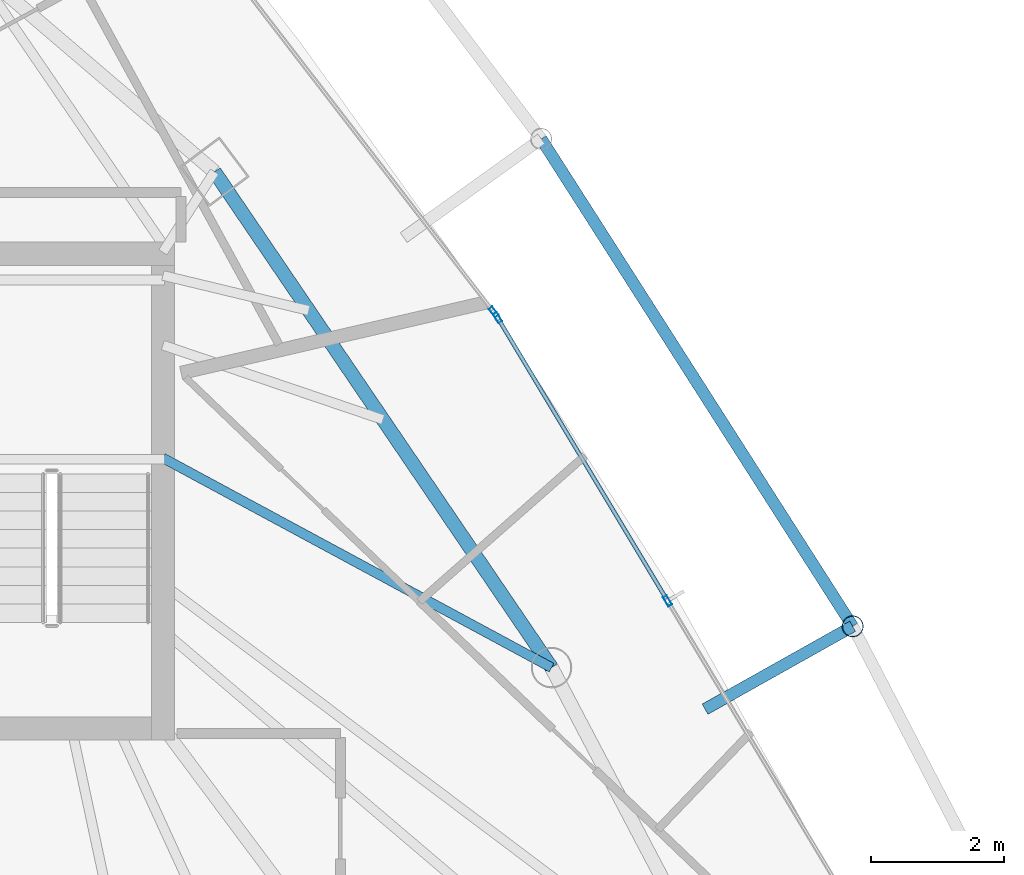
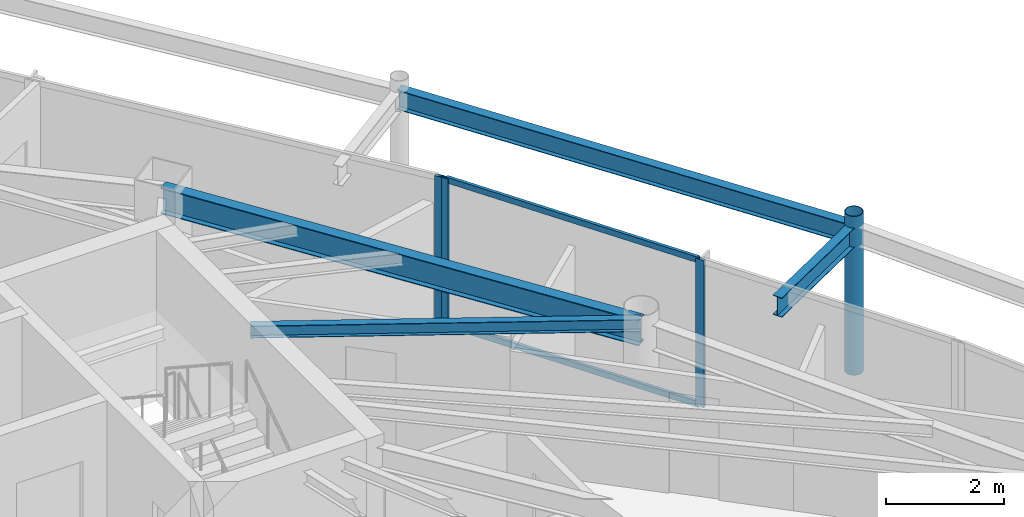
# One storey, part 20 of 32: 6 members, 4 beams, 2 elements without a shape of their own.
"""IFC4 building model written with IfcOpenShell, lengths in metres."""

import ifcopenshell
import ifcopenshell.guid

model = None  # the IFC model being written
_history = None  # IfcOwnerHistory: only IFC2X3 demands one
_inside = {}  # id of a spatial element -> (the spatial element, [elements in it])
_under = {}  # id of a project, library or spatial element -> (it, [spatial elements below it])
_declared = {}  # id of a project -> (the project, [libraries it declares])
_typed = {}  # id of a type object -> (the type object, [elements of that type])
_made_of = {}  # id of a material, layer set ... -> (it, [elements and type objects made of it])


def new_model(schema):
    """Start an empty IFC model of exactly this schema.

    Asked for "IFC4X3", IfcOpenShell would pick the latest addendum, in which some entities
    have other attributes; the version numbers below select the first issue.
    IFC2X3 requires an IfcOwnerHistory on every rooted entity: one is made here for all.
    """
    global model, _history
    if schema == "IFC4X3":
        model = ifcopenshell.file(schema_version=(4, 3, 0, 0))
    else:
        model = ifcopenshell.file(schema=schema)
    _inside.clear()
    _under.clear()
    _declared.clear()
    _typed.clear()
    _made_of.clear()
    _history = None
    if model.schema == "IFC2X3":
        org = make("IfcOrganization", Name="unknown")
        user = make(
            "IfcPersonAndOrganization",
            ThePerson=make("IfcPerson", FamilyName="unknown"),
            TheOrganization=org,
        )
        app = make(
            "IfcApplication",
            ApplicationDeveloper=org,
            Version="unknown",
            ApplicationFullName="unknown",
            ApplicationIdentifier="unknown",
        )
        _history = make(
            "IfcOwnerHistory",
            OwningUser=user,
            OwningApplication=app,
            ChangeAction="ADDED",
            CreationDate=0,
        )
    return model


def make(cls, **values):
    """One entity of the class cls with the attributes given. An attribute that is None is left unset."""
    return model.create_entity(
        cls, **{name: value for name, value in values.items() if value is not None}
    )


def rooted(cls, **values):
    """An entity with a GlobalId (a new one), such as an element, a storey or a relation."""
    return make(cls, GlobalId=ifcopenshell.guid.new(), OwnerHistory=_history, **values)


def si_unit(unit_type, name, prefix=None):
    """IfcSIUnit, for example si_unit("LENGTHUNIT", "METRE", prefix="MILLI")."""
    return make("IfcSIUnit", UnitType=unit_type, Prefix=prefix, Name=name)


def assignment(units):
    """IfcUnitAssignment: the units of a project."""
    return None if units is None else make("IfcUnitAssignment", Units=units)


def point(xyz):
    """IfcCartesianPoint."""
    return None if xyz is None else make("IfcCartesianPoint", Coordinates=xyz)


def direction(xyz):
    """IfcDirection."""
    return None if xyz is None else make("IfcDirection", DirectionRatios=xyz)


def frame(location, z_axis=None, x_axis=None):
    """IfcAxis2Placement3D, a coordinate frame: its origin and axes. An axis left out is left unset."""
    return make(
        "IfcAxis2Placement3D",
        Location=point(location),
        Axis=direction(z_axis),
        RefDirection=direction(x_axis),
    )


def frame_2d(location, x_axis=None):
    """IfcAxis2Placement2D, a coordinate frame in the plane: its origin and x axis."""
    return make(
        "IfcAxis2Placement2D", Location=point(location), RefDirection=direction(x_axis)
    )


def origin():
    """The frame at (0, 0, 0) with its axes left unset."""
    return frame((0.0, 0.0, 0.0))


def origin_2d():
    """The frame at (0, 0) in the plane with its x axis left unset."""
    return frame_2d((0.0, 0.0))


def place(relative_to, where):
    """IfcLocalPlacement: puts the frame where relative to a parent placement (None: the world)."""
    return make(
        "IfcLocalPlacement", PlacementRelTo=relative_to, RelativePlacement=where
    )


def context(
    kind, dimensions, precision=None, world=None, true_north=None, identifier=None
):
    """IfcGeometricRepresentationContext, for example the 3D "Model" context."""
    return make(
        "IfcGeometricRepresentationContext",
        ContextIdentifier=identifier,
        ContextType=kind,
        CoordinateSpaceDimension=dimensions,
        Precision=precision,
        WorldCoordinateSystem=world,
        TrueNorth=true_north,
    )


def subcontext(parent, identifier, kind, view, scale=None):
    """IfcGeometricRepresentationSubContext, for example "Body" below "Model"."""
    return make(
        "IfcGeometricRepresentationSubContext",
        ContextIdentifier=identifier,
        ContextType=kind,
        ParentContext=parent,
        TargetScale=scale,
        TargetView=view,
    )


def project(units=None, contexts=None):
    """IfcProject with its units and contexts."""
    return rooted(
        "IfcProject",
        Name="project",
        RepresentationContexts=contexts,
        UnitsInContext=assignment(units),
    )


def spatial(cls, under=None, at=None, **own):
    """A site, building, storey or space (cls), placed at a placement, below another one or the project."""
    s = rooted(cls, ObjectPlacement=at, **own)
    if under is not None:
        _under.setdefault(under.id(), (under, []))[1].append(s)
    return s


def profile(cls, at=None, kind="AREA", **sizes):
    """A parametric profile (cls). Its sizes go by their IFC names, for example OverallWidth=200.0."""
    return make(cls, ProfileType=kind, Position=at, **sizes)


def hollow_rectangle(**sizes):
    """IfcRectangleHollowProfileDef."""
    return profile("IfcRectangleHollowProfileDef", **sizes)


def hollow_circle(**sizes):
    """IfcCircleHollowProfileDef."""
    return profile("IfcCircleHollowProfileDef", **sizes)


def i_section(**sizes):
    """IfcIShapeProfileDef."""
    return profile("IfcIShapeProfileDef", **sizes)


def extrude(swept, where, along, depth):
    """IfcExtrudedAreaSolid: the profile swept, set in the frame where, extruded along a direction by depth."""
    return make(
        "IfcExtrudedAreaSolid",
        SweptArea=swept,
        Position=where,
        ExtrudedDirection=direction(along),
        Depth=depth,
    )


def shape(context_of_items, identifier, shape_type, items):
    """IfcShapeRepresentation: the items that make up one representation, for example the "Body"."""
    return make(
        "IfcShapeRepresentation",
        ContextOfItems=context_of_items,
        RepresentationIdentifier=identifier,
        RepresentationType=shape_type,
        Items=items,
    )


def material(Name=None, Category=None):
    """IfcMaterial."""
    return make("IfcMaterial", Name=Name, Category=Category)


def layer(
    of_material, thickness, ventilated=None, Name=None, Category=None, Priority=None
):
    """IfcMaterialLayer: one layer of a wall or slab, of a material (None: an air gap)."""
    return make(
        "IfcMaterialLayer",
        Material=of_material,
        LayerThickness=thickness,
        IsVentilated=ventilated,
        Name=Name,
        Category=Category,
        Priority=Priority,
    )


def layer_set(layers, Name=None):
    """IfcMaterialLayerSet."""
    return make("IfcMaterialLayerSet", MaterialLayers=layers, LayerSetName=Name)


def material_profile(
    of_material, cross_section, Name=None, Category=None, Priority=None
):
    """IfcMaterialProfile: a cross section and its material."""
    return make(
        "IfcMaterialProfile",
        Name=Name,
        Material=of_material,
        Profile=cross_section,
        Priority=Priority,
        Category=Category,
    )


def profile_set(profiles, Name=None, composite=None):
    """IfcMaterialProfileSet."""
    return make(
        "IfcMaterialProfileSet",
        Name=Name,
        MaterialProfiles=profiles,
        CompositeProfile=composite,
    )


def made_of(thing, what):
    """Note that an element or type object is made of a material, layer set ...; save() writes the relation."""
    if what is not None:
        _made_of.setdefault(what.id(), (what, []))[1].append(thing)
    return thing


def type_object(cls, material=None, **own):
    """A type object (cls), such as IfcWallType, which elements share."""
    return made_of(rooted(cls, **own), material)


def element(
    cls,
    number,
    at=None,
    inside=None,
    cuts=None,
    type_object=None,
    material=None,
    context=None,
    identifier="Body",
    shape_type=None,
    held_by="IfcProductDefinitionShape",
    body=None,
    shapes=None,
    **own,
):
    """One element of the class cls, such as IfcWall. Its Tag is "e" and its number.

    at: its placement. inside: the storey or other place that contains it. cuts: it is an
    opening in that element (IfcRelVoidsElement). A single representation is given by context,
    identifier, shape_type and body (its items); several are given by shapes. held_by: the class
    of the entity that holds the representations. save() writes the other relations.
    """
    e = rooted(cls, Tag="e%d" % number, ObjectPlacement=at, **own)
    if body is not None:
        shapes = [shape(context, identifier, shape_type, body)]
    if shapes is not None:
        e.Representation = make(held_by, Representations=shapes)
    if inside is not None:
        _inside.setdefault(inside.id(), (inside, []))[1].append(e)
    if cuts is not None:
        rooted(
            "IfcRelVoidsElement", RelatingBuildingElement=cuts, RelatedOpeningElement=e
        )
    if type_object is not None:
        _typed.setdefault(type_object.id(), (type_object, []))[1].append(e)
    return made_of(e, material)


def aggregate(whole, parts):
    """IfcRelAggregates: a whole, such as a stair, and the parts it consists of."""
    return rooted("IfcRelAggregates", RelatingObject=whole, RelatedObjects=parts)


def save(model, path):
    """Write the relations noted so far, then the file.

    IfcRelAggregates (storeys below a building ...), IfcRelContainedInSpatialStructure (elements
    in a storey), IfcRelDefinesByType, IfcRelAssociatesMaterial and IfcRelDeclares: one each for
    every whole, place, type object, material and project.
    """
    for whole, parts in _under.values():
        aggregate(whole, parts)
    for where, things in _inside.values():
        rooted(
            "IfcRelContainedInSpatialStructure",
            RelatedElements=things,
            RelatingStructure=where,
        )
    for kind, things in _typed.values():
        rooted("IfcRelDefinesByType", RelatedObjects=things, RelatingType=kind)
    for what, things in _made_of.values():
        rooted("IfcRelAssociatesMaterial", RelatedObjects=things, RelatingMaterial=what)
    for by, libraries in _declared.values():
        rooted("IfcRelDeclares", RelatingContext=by, RelatedDefinitions=libraries)
    model.write(path)


model = new_model("IFC4")

# Units and contexts
model_context = context("Model", 3, precision=1e-05, world=origin(), true_north=direction((0.0, 1.0)))
body_context = subcontext(model_context, "Body", "Model", "MODEL_VIEW")
ifc_project = project(units=[si_unit("LENGTHUNIT", "METRE"), si_unit("AREAUNIT", "SQUARE_METRE"), si_unit("VOLUMEUNIT", "CUBIC_METRE"), si_unit("PLANEANGLEUNIT", "RADIAN"), si_unit("MASSUNIT", "GRAM", prefix="KILO")], contexts=[model_context])

# Site, building, storey
site_placement = place(None, origin())
site = spatial("IfcSite", under=ifc_project, at=site_placement, CompositionType="ELEMENT")
building_placement = place(site_placement, origin())
building = spatial("IfcBuilding", under=site, at=building_placement, Name="Orvanel Arch Residences", CompositionType="ELEMENT")
storey_placement = place(building_placement, frame((0.0, 0.0, 219.5)))
storey = spatial("IfcBuildingStorey", under=building, at=storey_placement, Name="L62", CompositionType="ELEMENT", Elevation=219.5)

# Beam
ifc_material_1 = material(Name="Structural steel AS/NZS 3679.1 Grade 300 (300 MPa)", Category="steel")
ifc_material_profile_1 = material_profile(ifc_material_1, i_section(OverallWidth=0.14599609375, OverallDepth=0.251953125, WebThickness=0.006103515625, FlangeThickness=0.008544921875, at=origin_2d()), Name="250UB31.4")
ifc_profile_set_1 = profile_set([ifc_material_profile_1], Name="Structural steel AS/NZS 3679.1 Grade 300 (300 MPa)")
beam_type_1 = type_object("IfcBeamType", Name="BJ-250UB", PredefinedType="JOIST", material=ifc_profile_set_1)
beam_1_placement = place(storey_placement, frame((39.574951171875, 30.800048828125, 2.93408203125), z_axis=(0.880111494021, -0.474767056664, 0.0), x_axis=(0.474767056664, 0.880111494021, 0.0)))
element("IfcBeam", 1, at=beam_1_placement, inside=storey, type_object=beam_type_1, Name="L62 NE Wing Floor Joist", PredefinedType="JOIST", context=body_context, shape_type="SweptSolid", body=[
    extrude(i_section(OverallWidth=0.14599609375, OverallDepth=0.251953125, WebThickness=0.006103515625, FlangeThickness=0.008544921875, at=origin_2d()), origin(), (0.0, 0.0, 1.0), 6.653564453125),
])

# Curtain wall, members
ifc_material_2 = material(Name="Bronze-anodised aluminium AA6063-T6", Category="aluminium")
ifc_layer = layer(ifc_material_2, 0.175048828125)
ifc_layer_set = layer_set([ifc_layer], Name="Bronze-anodised aluminium AA6063-T6")
curtain_wall_type = type_object("IfcCurtainWallType", Name="CW4-HI-SYS", PredefinedType="NOTDEFINED", material=ifc_layer_set)
curtain_wall_1_placement = place(storey_placement, origin())
curtain_wall_1 = element("IfcCurtainWall", 2, at=curtain_wall_1_placement, inside=storey, type_object=curtain_wall_type, Name="L62 CW4-HI-SYS Unitised Curtain Wall", PredefinedType="NOTDEFINED")
ifc_material_profile_2 = material_profile(ifc_material_2, hollow_rectangle(XDim=0.06494140625, YDim=0.159912109375, WallThickness=0.00390625, at=origin_2d()), Name="ALU160x65x4")
ifc_profile_set_2 = profile_set([ifc_material_profile_2], Name="Bronze-anodised aluminium AA6063-T6")
member_type_1 = type_object("IfcMemberType", Name="MUL-160x65", PredefinedType="MULLION", material=ifc_profile_set_2)
member_1_placement = place(storey_placement, frame((47.178466796875, 28.64599609375, 0.0), z_axis=(0.0, 0.0, 1.0), x_axis=(-0.857536965081, -0.514422349359, 0.0)))
member_1 = element("IfcMember", 3, at=member_1_placement, type_object=member_type_1, Name="CW-S4 mullion 2", PredefinedType="MULLION", context=body_context, shape_type="SweptSolid", body=[
    extrude(hollow_rectangle(XDim=0.06494140625, YDim=0.159912109375, WallThickness=0.00390625, at=origin_2d()), origin(), (0.0, 0.0, 1.0), 3.06005859375),
])
member_2_placement = place(storey_placement, frame((44.61865234375, 32.9130859375, 0.0), z_axis=(0.0, 0.0, 1.0), x_axis=(-0.857536965081, -0.514422349359, 0.0)))
member_2 = element("IfcMember", 4, at=member_2_placement, type_object=member_type_1, Name="CW-S4 mullion 3", PredefinedType="MULLION", context=body_context, shape_type="SweptSolid", body=[
    extrude(hollow_rectangle(XDim=0.06494140625, YDim=0.159912109375, WallThickness=0.00390625, at=origin_2d()), origin(), (0.0, 0.0, 1.0), 3.06005859375),
])

# Curtain wall, member
curtain_wall_2_placement = place(storey_placement, origin())
curtain_wall_2 = element("IfcCurtainWall", 5, at=curtain_wall_2_placement, inside=storey, type_object=curtain_wall_type, Name="L62 CW4-HI-SYS Unitised Curtain Wall", PredefinedType="NOTDEFINED")
member_3_placement = place(storey_placement, frame((44.56005859375, 32.999755859375, 0.0), z_axis=(0.0, 0.0, 1.0), x_axis=(-0.791975613177, -0.610552723467, 0.0)))
member_3 = element("IfcMember", 6, at=member_3_placement, type_object=member_type_1, Name="CW-S4 mullion 1", PredefinedType="MULLION", context=body_context, shape_type="SweptSolid", body=[
    extrude(hollow_rectangle(XDim=0.06494140625, YDim=0.159912109375, WallThickness=0.00390625, at=origin_2d()), origin(), (0.0, 0.0, 1.0), 3.06005859375),
])
aggregate(curtain_wall_2, [member_3])

# Beams
ifc_material_profile_3 = material_profile(ifc_material_1, i_section(OverallWidth=0.177978515625, OverallDepth=0.406005859375, WebThickness=0.0078125, FlangeThickness=0.0126953125, at=origin_2d()), Name="410UB59.7")
ifc_profile_set_3 = profile_set([ifc_material_profile_3], Name="Structural steel AS/NZS 3679.1 Grade 300 (300 MPa)")
beam_type_2 = type_object("IfcBeamType", Name="OB-410UB-EXT", PredefinedType="SPANDREL", material=ifc_profile_set_3)
beam_2_placement = place(storey_placement, frame((47.743896484375, 27.014892578125, 2.85693359375), z_axis=(0.872081265837, 0.489361079139, 0.0), x_axis=(-0.489361079139, 0.872081265837, 0.0)))
element("IfcBeam", 7, at=beam_2_placement, inside=storey, type_object=beam_type_2, Name="L62 Outer Frame Radial Tie Beam 10", PredefinedType="SPANDREL", context=body_context, shape_type="SweptSolid", body=[
    extrude(i_section(OverallWidth=0.177978515625, OverallDepth=0.406005859375, WebThickness=0.0078125, FlangeThickness=0.0126953125, at=origin_2d()), origin(), (0.0, 0.0, 1.0), 2.55029296875),
])
beam_3_placement = place(storey_placement, frame((49.968017578125, 28.262939453125, 2.85693359375), z_axis=(-0.538480448233, 0.842638004645, 0.0), x_axis=(-0.842638004645, -0.538480448233, 0.0)))
element("IfcBeam", 8, at=beam_3_placement, inside=storey, type_object=beam_type_2, Name="L62 Outer Perimeter Floor Ring Beam 10", PredefinedType="SPANDREL", context=body_context, shape_type="SweptSolid", body=[
    extrude(i_section(OverallWidth=0.177978515625, OverallDepth=0.406005859375, WebThickness=0.0078125, FlangeThickness=0.0126953125, at=origin_2d()), origin(), (0.0, 0.0, 1.0), 8.715576171875),
])
ifc_material_profile_4 = material_profile(ifc_material_1, i_section(OverallWidth=0.208984375, OverallDepth=0.532958984375, WebThickness=0.01025390625, FlangeThickness=0.015625, at=origin_2d()), Name="530UB92.4")
ifc_profile_set_4 = profile_set([ifc_material_profile_4], Name="Structural steel AS/NZS 3679.1 Grade 300 (300 MPa)")
beam_type_3 = type_object("IfcBeamType", Name="SP-530UB", PredefinedType="SPANDREL", material=ifc_profile_set_4)
beam_4_placement = place(storey_placement, frame((45.430908203125, 27.64111328125, 2.79296875), z_axis=(-0.562154793153, 0.827032035978, 0.0), x_axis=(-0.827032035978, -0.562154793153, 0.0)))
element("IfcBeam", 9, at=beam_4_placement, inside=storey, type_object=beam_type_3, Name="L62 Perimeter Spandrel Beam 08", PredefinedType="SPANDREL", context=body_context, shape_type="SweptSolid", body=[
    extrude(i_section(OverallWidth=0.208984375, OverallDepth=0.532958984375, WebThickness=0.01025390625, FlangeThickness=0.015625, at=origin_2d()), origin(), (0.0, 0.0, 1.0), 9.03466796875),
])

# Member
ifc_material_3 = material(Name="Structural steel AS/NZS 1163 C350L0 (Grade 350)", Category="steel")
ifc_material_profile_5 = material_profile(ifc_material_3, hollow_circle(Radius=0.162109375, WallThickness=0.0126953125, at=origin_2d()), Name="CHS324x12.7")
ifc_profile_set_5 = profile_set([ifc_material_profile_5], Name="Structural steel AS/NZS 1163 C350L0 (Grade 350)")
member_type_2 = type_object("IfcMemberType", Name="ST-324CHS-EXT", PredefinedType="STRUT", material=ifc_profile_set_5)
member_4_placement = place(storey_placement, frame((49.968017578125, 28.262939453125, 0.0), z_axis=(0.0, 0.0, 1.0), x_axis=(1.0, 0.0, 0.0)))
element("IfcMember", 10, at=member_4_placement, inside=storey, type_object=member_type_2, Name="L62 Outer Perimeter Frame Post 10", PredefinedType="STRUT", context=body_context, shape_type="SweptSolid", body=[
    extrude(hollow_circle(Radius=0.162109375, WallThickness=0.0126953125, at=origin_2d()), origin(), (0.0, 0.0, 1.0), 3.300048828125),
])

ifc_material_profile_6 = material_profile(ifc_material_2, hollow_rectangle(XDim=0.06005859375, YDim=0.1201171875, WallThickness=0.00341796875, at=origin_2d()), Name="ALU120x60x3.5")
ifc_profile_set_6 = profile_set([ifc_material_profile_6], Name="Bronze-anodised aluminium AA6063-T6")
member_type_3 = type_object("IfcMemberType", Name="TRN-120x60", PredefinedType="USERDEFINED", material=ifc_profile_set_6)
member_5_placement = place(storey_placement, frame((47.161865234375, 28.673828125, 0.030029296875), z_axis=(-0.514422647267, 0.85753678637, 0.0), x_axis=(-0.85753678637, -0.514422647267, 0.0)))
member_5 = element("IfcMember", 11, at=member_5_placement, type_object=member_type_3, Name="CW-S4 transom 2.1", ObjectType="TRANSOM", PredefinedType="USERDEFINED", context=body_context, shape_type="SweptSolid", body=[
    extrude(hollow_rectangle(XDim=0.06005859375, YDim=0.1201171875, WallThickness=0.00341796875, at=origin_2d()), origin(), (0.0, 0.0, 1.0), 4.9111328125),
])

member_6_placement = place(storey_placement, frame((47.161865234375, 28.673828125, 3.030029296875), z_axis=(-0.514422647267, 0.85753678637, 0.0), x_axis=(-0.85753678637, -0.514422647267, 0.0)))
member_6 = element("IfcMember", 12, at=member_6_placement, type_object=member_type_3, Name="CW-S4 transom 2.2", ObjectType="TRANSOM", PredefinedType="USERDEFINED", context=body_context, shape_type="SweptSolid", body=[
    extrude(hollow_rectangle(XDim=0.06005859375, YDim=0.1201171875, WallThickness=0.00341796875, at=origin_2d()), origin(), (0.0, 0.0, 1.0), 4.9111328125),
])

aggregate(curtain_wall_1, [member_1, member_2, member_5, member_6])

save(model, "model.ifc")
